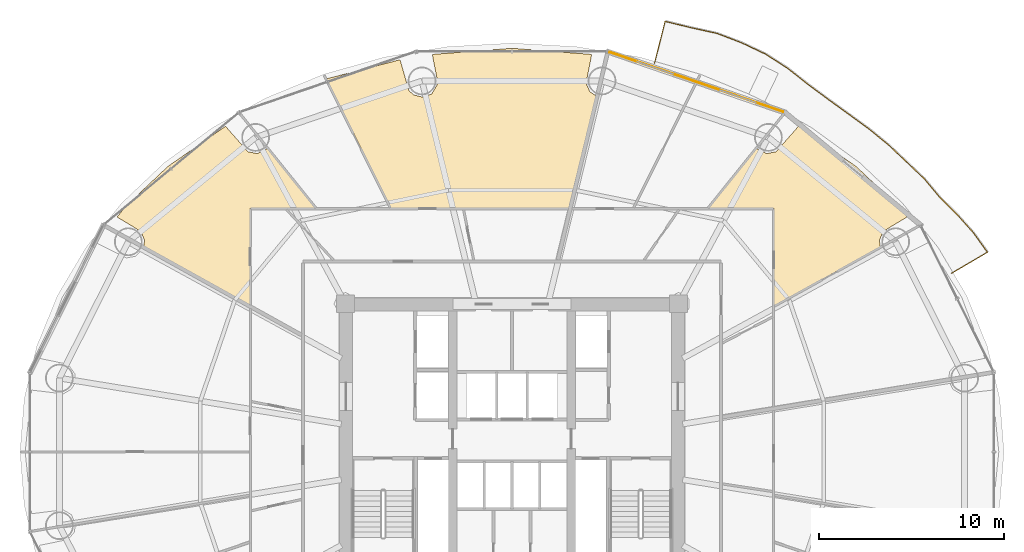
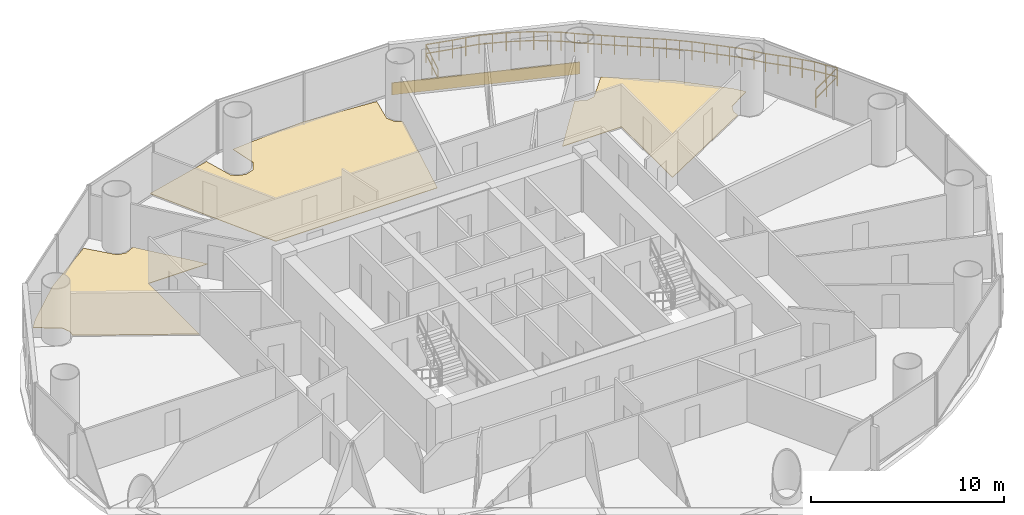
# One storey, part 28 of 28: 4 coverings, 1 railing.
"""IFC4 building model written with IfcOpenShell, lengths in metres."""

from ifc_helpers import new_model, si_unit, direction, frame, origin, origin_2d, place, context, subcontext, project, spatial, polyline, rectangle, outline, extrude, source, transform, mapped, material, layer, layer_set, type_object, element, save


model = new_model("IFC4")

# Units and contexts
model_context = context("Model", 3, precision=1e-05, world=origin(), true_north=direction((-0.2419218956, 0.970295726276)))
body_context = subcontext(model_context, "Body", "Model", "MODEL_VIEW")
ifc_project = project(units=[si_unit("LENGTHUNIT", "METRE"), si_unit("AREAUNIT", "SQUARE_METRE"), si_unit("VOLUMEUNIT", "CUBIC_METRE"), si_unit("PLANEANGLEUNIT", "RADIAN"), si_unit("MASSUNIT", "GRAM", prefix="KILO")], contexts=[model_context])

# Site, building, storey
site_placement = place(None, origin())
site = spatial("IfcSite", under=ifc_project, at=site_placement, CompositionType="ELEMENT")
building_placement = place(site_placement, origin())
building = spatial("IfcBuilding", under=site, at=building_placement, Name="Cobrevalo Terracotta Tower", CompositionType="ELEMENT")
storey_placement = place(building_placement, frame((0.0, 0.0, 105.0)))
storey = spatial("IfcBuildingStorey", under=building, at=storey_placement, Name="L27", CompositionType="ELEMENT", Elevation=105.0)

# Railing
ifc_material_1 = material(Name="Laminated structural glass and stainless steel", Category="steel")
railing_type = type_object("IfcRailingType", Name="Balcony lobe structural glass & terracotta-cap balustrade 1180 mm", PredefinedType="BALUSTRADE", material=ifc_material_1)
railing_placement = place(storey_placement, frame((61.761962890625, 36.452880859375, 0.0)))
element("IfcRailing", 1, at=railing_placement, inside=storey, type_object=railing_type, Name="L27 spiralling balcony lobe balustrade 1", PredefinedType="BALUSTRADE", context=body_context, shape_type="SweptSolid", body=[
    extrude(rectangle(XDim=0.048095703125, YDim=0.048095703125, at=origin_2d()), frame((0.0, 0.0, 1.15576171875), z_axis=(0.862020568917, 0.506873296558, 0.0), x_axis=(-0.506873296558, 0.862020568917, 0.0)), (0.0, 0.0, 1.0), 2.252685546875),
    extrude(rectangle(XDim=0.048095703125, YDim=0.048095703125, at=origin_2d()), frame((0.0, 0.0, 0.58984375), z_axis=(0.862020568917, 0.506873296558, 0.0), x_axis=(-0.506873296558, 0.862020568917, 0.0)), (0.0, 0.0, 1.0), 2.252685546875),
    extrude(rectangle(XDim=0.048095703125, YDim=0.048095703125, at=origin_2d()), frame((1.94189453125, 1.141845703125, 1.15576171875), z_axis=(-0.583469967791, 0.812134715849, 0.0), x_axis=(-0.812134715849, -0.583469967791, 0.0)), (0.0, 0.0, 1.0), 1.302490234375),
    extrude(rectangle(XDim=0.048095703125, YDim=0.048095703125, at=origin_2d()), frame((1.94189453125, 1.141845703125, 0.58984375), z_axis=(-0.583469967791, 0.812134715849, 0.0), x_axis=(-0.812134715849, -0.583469967791, 0.0)), (0.0, 0.0, 1.0), 1.302490234375),
    extrude(rectangle(XDim=0.048095703125, YDim=0.048095703125, at=origin_2d()), frame((1.181884765625, 2.19970703125, 1.15576171875), z_axis=(-0.666952197862, 0.745100507158, 0.0), x_axis=(-0.745100507158, -0.666952197862, 0.0)), (0.0, 0.0, 1.0), 1.315185546875),
    extrude(rectangle(XDim=0.048095703125, YDim=0.048095703125, at=origin_2d()), frame((1.181884765625, 2.19970703125, 0.58984375), z_axis=(-0.666952197862, 0.745100507158, 0.0), x_axis=(-0.745100507158, -0.666952197862, 0.0)), (0.0, 0.0, 1.0), 1.315185546875),
    extrude(rectangle(XDim=0.048095703125, YDim=0.048095703125, at=origin_2d()), frame((0.3046875, 3.1796875, 1.15576171875), z_axis=(-0.711076862709, 0.703114283257, 0.0), x_axis=(-0.703114283257, -0.711076862709, 0.0)), (0.0, 0.0, 1.0), 1.318359375),
    extrude(rectangle(XDim=0.048095703125, YDim=0.048095703125, at=origin_2d()), frame((0.3046875, 3.1796875, 0.58984375), z_axis=(-0.711076862709, 0.703114283257, 0.0), x_axis=(-0.703114283257, -0.711076862709, 0.0)), (0.0, 0.0, 1.0), 1.318359375),
    extrude(rectangle(XDim=0.048095703125, YDim=0.048095703125, at=origin_2d()), frame((-0.6328125, 4.106689453125, 1.15576171875), z_axis=(-0.640221203475, 0.768190608261, 0.0), x_axis=(-0.768190608261, -0.640221203475, 0.0)), (0.0, 0.0, 1.0), 1.304931640625),
    extrude(rectangle(XDim=0.048095703125, YDim=0.048095703125, at=origin_2d()), frame((-0.6328125, 4.106689453125, 0.58984375), z_axis=(-0.640221203475, 0.768190608261, 0.0), x_axis=(-0.768190608261, -0.640221203475, 0.0)), (0.0, 0.0, 1.0), 1.304931640625),
    extrude(rectangle(XDim=0.048095703125, YDim=0.048095703125, at=origin_2d()), frame((-1.46826171875, 5.109130859375, 1.15576171875), z_axis=(-0.724591583664, 0.689178523232, 0.0), x_axis=(-0.689178523232, -0.724591583664, 0.0)), (0.0, 0.0, 1.0), 1.33056640625),
    extrude(rectangle(XDim=0.048095703125, YDim=0.048095703125, at=origin_2d()), frame((-1.46826171875, 5.109130859375, 0.58984375), z_axis=(-0.724591583664, 0.689178523232, 0.0), x_axis=(-0.689178523232, -0.724591583664, 0.0)), (0.0, 0.0, 1.0), 1.33056640625),
    extrude(rectangle(XDim=0.048095703125, YDim=0.048095703125, at=origin_2d()), frame((-2.432373046875, 6.026123046875, 1.15576171875), z_axis=(-0.727028438412, 0.686607347573, 0.0), x_axis=(-0.686607347573, -0.727028438412, 0.0)), (0.0, 0.0, 1.0), 1.328857421875),
    extrude(rectangle(XDim=0.048095703125, YDim=0.048095703125, at=origin_2d()), frame((-2.432373046875, 6.026123046875, 0.58984375), z_axis=(-0.727028438412, 0.686607347573, 0.0), x_axis=(-0.686607347573, -0.727028438412, 0.0)), (0.0, 0.0, 1.0), 1.328857421875),
    extrude(rectangle(XDim=0.048095703125, YDim=0.048095703125, at=origin_2d()), frame((-3.3984375, 6.9384765625, 1.15576171875), z_axis=(-0.773640823062, 0.63362439733, 0.0), x_axis=(-0.63362439733, -0.773640823062, 0.0)), (0.0, 0.0, 1.0), 1.3408203125),
    extrude(rectangle(XDim=0.048095703125, YDim=0.048095703125, at=origin_2d()), frame((-3.3984375, 6.9384765625, 0.58984375), z_axis=(-0.773640823062, 0.63362439733, 0.0), x_axis=(-0.63362439733, -0.773640823062, 0.0)), (0.0, 0.0, 1.0), 1.3408203125),
    extrude(rectangle(XDim=0.048095703125, YDim=0.048095703125, at=origin_2d()), frame((-4.435791015625, 7.7880859375, 1.15576171875), z_axis=(-0.808182597168, 0.58893199067, 0.0), x_axis=(-0.58893199067, -0.808182597168, 0.0)), (0.0, 0.0, 1.0), 1.355224609375),
    extrude(rectangle(XDim=0.048095703125, YDim=0.048095703125, at=origin_2d()), frame((-4.435791015625, 7.7880859375, 0.58984375), z_axis=(-0.808182597168, 0.58893199067, 0.0), x_axis=(-0.58893199067, -0.808182597168, 0.0)), (0.0, 0.0, 1.0), 1.355224609375),
    extrude(rectangle(XDim=0.048095703125, YDim=0.048095703125, at=origin_2d()), frame((-5.531005859375, 8.586181640625, 1.15576171875), z_axis=(-0.809826856566, 0.586668954679, 0.0), x_axis=(-0.586668954679, -0.809826856566, 0.0)), (0.0, 0.0, 1.0), 1.353271484375),
    extrude(rectangle(XDim=0.048095703125, YDim=0.048095703125, at=origin_2d()), frame((-5.531005859375, 8.586181640625, 0.58984375), z_axis=(-0.809826856566, 0.586668954679, 0.0), x_axis=(-0.586668954679, -0.809826856566, 0.0)), (0.0, 0.0, 1.0), 1.353271484375),
    extrude(rectangle(XDim=0.048095703125, YDim=0.048095703125, at=origin_2d()), frame((-6.626953125, 9.380126953125, 1.15576171875), z_axis=(-0.804198055031, 0.594361412176, 0.0), x_axis=(-0.594361412176, -0.804198055031, 0.0)), (0.0, 0.0, 1.0), 1.38916015625),
    extrude(rectangle(XDim=0.048095703125, YDim=0.048095703125, at=origin_2d()), frame((-6.626953125, 9.380126953125, 0.58984375), z_axis=(-0.804198055031, 0.594361412176, 0.0), x_axis=(-0.594361412176, -0.804198055031, 0.0)), (0.0, 0.0, 1.0), 1.38916015625),
    extrude(rectangle(XDim=0.048095703125, YDim=0.048095703125, at=origin_2d()), frame((-7.744140625, 10.205810546875, 1.15576171875), z_axis=(-0.784396042657, 0.620260306859, 0.0), x_axis=(-0.620260306859, -0.784396042657, 0.0)), (0.0, 0.0, 1.0), 1.4130859375),
    extrude(rectangle(XDim=0.048095703125, YDim=0.048095703125, at=origin_2d()), frame((-7.744140625, 10.205810546875, 0.58984375), z_axis=(-0.784396042657, 0.620260306859, 0.0), x_axis=(-0.620260306859, -0.784396042657, 0.0)), (0.0, 0.0, 1.0), 1.4130859375),
    extrude(rectangle(XDim=0.048095703125, YDim=0.048095703125, at=origin_2d()), frame((-8.8525390625, 11.082275390625, 1.15576171875), z_axis=(-0.840809409922, 0.541331262894, 0.0), x_axis=(-0.541331262894, -0.840809409922, 0.0)), (0.0, 0.0, 1.0), 1.419189453125),
    extrude(rectangle(XDim=0.048095703125, YDim=0.048095703125, at=origin_2d()), frame((-8.8525390625, 11.082275390625, 0.58984375), z_axis=(-0.840809409922, 0.541331262894, 0.0), x_axis=(-0.541331262894, -0.840809409922, 0.0)), (0.0, 0.0, 1.0), 1.419189453125),
    extrude(rectangle(XDim=0.048095703125, YDim=0.048095703125, at=origin_2d()), frame((-10.0458984375, 11.8505859375, 1.15576171875), z_axis=(-0.903883829137, 0.427778007177, 0.0), x_axis=(-0.427778007177, -0.903883829137, 0.0)), (0.0, 0.0, 1.0), 1.4296875),
    extrude(rectangle(XDim=0.048095703125, YDim=0.048095703125, at=origin_2d()), frame((-10.0458984375, 11.8505859375, 0.58984375), z_axis=(-0.903883829137, 0.427778007177, 0.0), x_axis=(-0.427778007177, -0.903883829137, 0.0)), (0.0, 0.0, 1.0), 1.4296875),
    extrude(rectangle(XDim=0.048095703125, YDim=0.048095703125, at=origin_2d()), frame((-11.338134765625, 12.462158203125, 1.15576171875), z_axis=(-0.934189367459, 0.356777557766, 0.0), x_axis=(-0.356777557766, -0.934189367459, 0.0)), (0.0, 0.0, 1.0), 1.427490234375),
    extrude(rectangle(XDim=0.048095703125, YDim=0.048095703125, at=origin_2d()), frame((-11.338134765625, 12.462158203125, 0.58984375), z_axis=(-0.934189367459, 0.356777557766, 0.0), x_axis=(-0.356777557766, -0.934189367459, 0.0)), (0.0, 0.0, 1.0), 1.427490234375),
    extrude(rectangle(XDim=0.048095703125, YDim=0.048095703125, at=origin_2d()), frame((-12.671630859375, 12.971435546875, 1.15576171875), z_axis=(-0.976515422285, 0.215447511102, 0.0), x_axis=(-0.215447511102, -0.976515422285, 0.0)), (0.0, 0.0, 1.0), 1.447021484375),
    extrude(rectangle(XDim=0.048095703125, YDim=0.048095703125, at=origin_2d()), frame((-12.671630859375, 12.971435546875, 0.58984375), z_axis=(-0.976515422285, 0.215447511102, 0.0), x_axis=(-0.215447511102, -0.976515422285, 0.0)), (0.0, 0.0, 1.0), 1.447021484375),
    extrude(rectangle(XDim=0.048095703125, YDim=0.048095703125, at=origin_2d()), frame((-14.084716796875, 13.283203125, 1.15576171875), z_axis=(-0.971950022136, 0.23518748791, 0.0), x_axis=(-0.23518748791, -0.971950022136, 0.0)), (0.0, 0.0, 1.0), 1.439697265625),
    extrude(rectangle(XDim=0.048095703125, YDim=0.048095703125, at=origin_2d()), frame((-14.084716796875, 13.283203125, 0.58984375), z_axis=(-0.971950022136, 0.23518748791, 0.0), x_axis=(-0.23518748791, -0.971950022136, 0.0)), (0.0, 0.0, 1.0), 1.439697265625),
    extrude(rectangle(XDim=0.048095703125, YDim=0.048095703125, at=origin_2d()), frame((-15.484130859375, 13.621826171875, 1.15576171875), z_axis=(-0.24569801481, -0.969346421832, 0.0), x_axis=(0.969346421832, -0.24569801481, 0.0)), (0.0, 0.0, 1.0), 2.32421875),
    extrude(rectangle(XDim=0.048095703125, YDim=0.048095703125, at=origin_2d()), frame((-15.484130859375, 13.621826171875, 0.58984375), z_axis=(-0.24569801481, -0.969346421832, 0.0), x_axis=(0.969346421832, -0.24569801481, 0.0)), (0.0, 0.0, 1.0), 2.32421875),
    extrude(rectangle(XDim=0.0419921875, YDim=0.0419921875, at=origin_2d()), origin(), (0.0, 0.0, 1.0), 1.1318359375),
    extrude(rectangle(XDim=0.0419921875, YDim=0.0419921875, at=origin_2d()), frame((0.970947265625, 0.57080078125, 0.0)), (0.0, 0.0, 1.0), 1.1318359375),
    extrude(rectangle(XDim=0.0419921875, YDim=0.0419921875, at=origin_2d()), frame((1.94189453125, 1.141845703125, 0.0)), (0.0, 0.0, 1.0), 1.1318359375),
    extrude(rectangle(XDim=0.0419921875, YDim=0.0419921875, at=origin_2d()), frame((1.56201171875, 1.6708984375, 0.0)), (0.0, 0.0, 1.0), 1.1318359375),
    extrude(rectangle(XDim=0.0419921875, YDim=0.0419921875, at=origin_2d()), frame((1.181884765625, 2.19970703125, 0.0)), (0.0, 0.0, 1.0), 1.1318359375),
    extrude(rectangle(XDim=0.0419921875, YDim=0.0419921875, at=origin_2d()), frame((0.7431640625, 2.689697265625, 0.0)), (0.0, 0.0, 1.0), 1.1318359375),
    extrude(rectangle(XDim=0.0419921875, YDim=0.0419921875, at=origin_2d()), frame((0.3046875, 3.1796875, 0.0)), (0.0, 0.0, 1.0), 1.1318359375),
    extrude(rectangle(XDim=0.0419921875, YDim=0.0419921875, at=origin_2d()), frame((-0.1640625, 3.64306640625, 0.0)), (0.0, 0.0, 1.0), 1.1318359375),
    extrude(rectangle(XDim=0.0419921875, YDim=0.0419921875, at=origin_2d()), frame((-0.6328125, 4.106689453125, 0.0)), (0.0, 0.0, 1.0), 1.1318359375),
    extrude(rectangle(XDim=0.0419921875, YDim=0.0419921875, at=origin_2d()), frame((-1.050537109375, 4.60791015625, 0.0)), (0.0, 0.0, 1.0), 1.1318359375),
    extrude(rectangle(XDim=0.0419921875, YDim=0.0419921875, at=origin_2d()), frame((-1.46826171875, 5.109130859375, 0.0)), (0.0, 0.0, 1.0), 1.1318359375),
    extrude(rectangle(XDim=0.0419921875, YDim=0.0419921875, at=origin_2d()), frame((-1.9501953125, 5.567626953125, 0.0)), (0.0, 0.0, 1.0), 1.1318359375),
    extrude(rectangle(XDim=0.0419921875, YDim=0.0419921875, at=origin_2d()), frame((-2.432373046875, 6.026123046875, 0.0)), (0.0, 0.0, 1.0), 1.1318359375),
    extrude(rectangle(XDim=0.0419921875, YDim=0.0419921875, at=origin_2d()), frame((-2.91552734375, 6.482421875, 0.0)), (0.0, 0.0, 1.0), 1.1318359375),
    extrude(rectangle(XDim=0.0419921875, YDim=0.0419921875, at=origin_2d()), frame((-3.3984375, 6.9384765625, 0.0)), (0.0, 0.0, 1.0), 1.1318359375),
    extrude(rectangle(XDim=0.0419921875, YDim=0.0419921875, at=origin_2d()), frame((-3.9169921875, 7.36328125, 0.0)), (0.0, 0.0, 1.0), 1.1318359375),
    extrude(rectangle(XDim=0.0419921875, YDim=0.0419921875, at=origin_2d()), frame((-4.435791015625, 7.7880859375, 0.0)), (0.0, 0.0, 1.0), 1.1318359375),
    extrude(rectangle(XDim=0.0419921875, YDim=0.0419921875, at=origin_2d()), frame((-4.9833984375, 8.18701171875, 0.0)), (0.0, 0.0, 1.0), 1.1318359375),
    extrude(rectangle(XDim=0.0419921875, YDim=0.0419921875, at=origin_2d()), frame((-5.531005859375, 8.586181640625, 0.0)), (0.0, 0.0, 1.0), 1.1318359375),
    extrude(rectangle(XDim=0.0419921875, YDim=0.0419921875, at=origin_2d()), frame((-6.0791015625, 8.983154296875, 0.0)), (0.0, 0.0, 1.0), 1.1318359375),
    extrude(rectangle(XDim=0.0419921875, YDim=0.0419921875, at=origin_2d()), frame((-6.626953125, 9.380126953125, 0.0)), (0.0, 0.0, 1.0), 1.1318359375),
    extrude(rectangle(XDim=0.0419921875, YDim=0.0419921875, at=origin_2d()), frame((-7.185546875, 9.79296875, 0.0)), (0.0, 0.0, 1.0), 1.1318359375),
    extrude(rectangle(XDim=0.0419921875, YDim=0.0419921875, at=origin_2d()), frame((-7.744140625, 10.205810546875, 0.0)), (0.0, 0.0, 1.0), 1.1318359375),
    extrude(rectangle(XDim=0.0419921875, YDim=0.0419921875, at=origin_2d()), frame((-8.29833984375, 10.64404296875, 0.0)), (0.0, 0.0, 1.0), 1.1318359375),
    extrude(rectangle(XDim=0.0419921875, YDim=0.0419921875, at=origin_2d()), frame((-8.8525390625, 11.082275390625, 0.0)), (0.0, 0.0, 1.0), 1.1318359375),
    extrude(rectangle(XDim=0.0419921875, YDim=0.0419921875, at=origin_2d()), frame((-9.44921875, 11.46630859375, 0.0)), (0.0, 0.0, 1.0), 1.1318359375),
    extrude(rectangle(XDim=0.0419921875, YDim=0.0419921875, at=origin_2d()), frame((-10.0458984375, 11.8505859375, 0.0)), (0.0, 0.0, 1.0), 1.1318359375),
    extrude(rectangle(XDim=0.0419921875, YDim=0.0419921875, at=origin_2d()), frame((-10.69189453125, 12.15625, 0.0)), (0.0, 0.0, 1.0), 1.1318359375),
    extrude(rectangle(XDim=0.0419921875, YDim=0.0419921875, at=origin_2d()), frame((-11.338134765625, 12.462158203125, 0.0)), (0.0, 0.0, 1.0), 1.1318359375),
    extrude(rectangle(XDim=0.0419921875, YDim=0.0419921875, at=origin_2d()), frame((-12.0048828125, 12.716796875, 0.0)), (0.0, 0.0, 1.0), 1.1318359375),
    extrude(rectangle(XDim=0.0419921875, YDim=0.0419921875, at=origin_2d()), frame((-12.671630859375, 12.971435546875, 0.0)), (0.0, 0.0, 1.0), 1.1318359375),
    extrude(rectangle(XDim=0.0419921875, YDim=0.0419921875, at=origin_2d()), frame((-13.378173828125, 13.12744140625, 0.0)), (0.0, 0.0, 1.0), 1.1318359375),
    extrude(rectangle(XDim=0.0419921875, YDim=0.0419921875, at=origin_2d()), frame((-14.084716796875, 13.283203125, 0.0)), (0.0, 0.0, 1.0), 1.1318359375),
    extrude(rectangle(XDim=0.0419921875, YDim=0.0419921875, at=origin_2d()), frame((-14.784423828125, 13.45263671875, 0.0)), (0.0, 0.0, 1.0), 1.1318359375),
    extrude(rectangle(XDim=0.0419921875, YDim=0.0419921875, at=origin_2d()), frame((-15.484130859375, 13.621826171875, 0.0)), (0.0, 0.0, 1.0), 1.1318359375),
    extrude(rectangle(XDim=0.0419921875, YDim=0.0419921875, at=origin_2d()), frame((-15.76953125, 12.495361328125, 0.0)), (0.0, 0.0, 1.0), 1.1318359375),
    extrude(rectangle(XDim=0.0419921875, YDim=0.0419921875, at=origin_2d()), frame((-16.05517578125, 11.368896484375, 0.0)), (0.0, 0.0, 1.0), 1.1318359375),
])

# Coverings
ifc_material_2 = material(Name="Engineered Brazilian hardwood flooring", Category="wood")
ifc_layer_1 = layer(ifc_material_2, 0.028076171875)
ifc_layer_set_1 = layer_set([ifc_layer_1], Name="Engineered Brazilian hardwood flooring")
covering_type_1 = type_object("IfcCoveringType", Name="Engineered Hardwood Suite Flooring 28", PredefinedType="FLOORING", material=ifc_layer_set_1)
covering_1_placement = place(storey_placement, origin())
element("IfcCovering", 2, at=covering_1_placement, inside=storey, type_object=covering_type_1, Name="Flat L27A Master Bedroom floor finish", PredefinedType="FLOORING", context=body_context, shape_type="SweptSolid", body=[
    extrude(outline(polyline([(56.6123046875, 42.227783203125), (58.882080078125, 40.081787109375), (59.35302734375, 39.49755859375), (58.05908203125, 38.712890625), (57.868408203125, 38.23876953125), (57.916259765625, 37.879150390625), (52.1650390625, 34.6865234375), (52.1650390625, 39.965087890625), (48.61328125, 39.965087890625), (51.219970703125, 43.2060546875), (51.778076171875, 42.927490234375), (52.27880859375, 43.02880859375), (53.488525390625, 44.40673828125), (56.6123046875, 42.227783203125)])), origin(), (0.0, 0.0, 1.0), 0.030029296875),
])
covering_2_placement = place(storey_placement, origin())
element("IfcCovering", 3, at=covering_2_placement, inside=storey, type_object=covering_type_1, Name="Flat L27B Penthouse Living and Dining Room floor finish", PredefinedType="FLOORING", context=body_context, shape_type="SweptSolid", body=[
    extrude(outline(polyline([(31.94921875, 48.001953125), (32.421875, 46.337890625), (32.674560546875, 46.10546875), (33.169189453125, 45.977783203125), (33.651611328125, 46.146240234375), (34.002197265625, 46.721435546875), (33.6904296875, 48.2890625), (38.0, 48.619873046875), (42.3095703125, 48.2890625), (41.997802734375, 46.721435546875), (42.2197265625, 46.26123046875), (42.5830078125, 46.028564453125), (41.13134765625, 39.965087890625), (31.458740234375, 39.965087890625), (27.966552734375, 46.9697265625), (31.94921875, 48.001953125)])), origin(), (0.0, 0.0, 1.0), 0.030029296875),
])
covering_3_placement = place(storey_placement, origin())
element("IfcCovering", 4, at=covering_3_placement, inside=storey, type_object=covering_type_1, Name="Flat L27B Principal Guest Bedroom floor finish", PredefinedType="FLOORING", context=body_context, shape_type="SweptSolid", body=[
    extrude(outline(polyline([(22.511474609375, 44.40673828125), (23.72119140625, 43.02880859375), (24.221923828125, 42.927490234375), (24.780029296875, 43.2060546875), (27.38671875, 39.965087890625), (23.8349609375, 39.965087890625), (23.8349609375, 34.6865234375), (18.083740234375, 37.879150390625), (18.131591796875, 38.23876953125), (17.94091796875, 38.712890625), (16.64697265625, 39.49755859375), (17.117919921875, 40.081787109375), (19.3876953125, 42.227783203125), (22.511474609375, 44.40673828125)])), origin(), (0.0, 0.0, 1.0), 0.030029296875),
])
ifc_material_3 = material(Name="Glazed terracotta facade cladding tile", Category="masonry")
ifc_layer_2 = layer(ifc_material_3, 0.044921875)
ifc_layer_set_2 = layer_set([ifc_layer_2], Name="Glazed terracotta facade cladding tile")
covering_type_2 = type_object("IfcCoveringType", Name="Architectural terracotta rainscreen spandrel cladding 45 mm", PredefinedType="CLADDING", material=ifc_layer_set_2)
shared_shape = source(origin(), body_context, "Body", "SweptSolid", [
    extrude(rectangle(XDim=9.928955078125, YDim=0.044921875, at=origin_2d()), origin(), (0.0, 0.0, 1.0), 0.760009765625),
])
covering_4_placement = place(storey_placement, frame((47.972412109375, 46.79833984375, 0.0400390625), z_axis=(0.0, 0.0, 1.0), x_axis=(-0.945596395206, 0.325342062104, 0.0)))
element("IfcCovering", 5, at=covering_4_placement, inside=storey, type_object=covering_type_2, Name="L27 terracotta spandrel cladding S03", PredefinedType="CLADDING", context=body_context, shape_type="MappedRepresentation", body=[
    mapped(shared_shape, transform((0.0, 0.0, 0.0), scale=1.0)),
])

save(model, "model.ifc")
